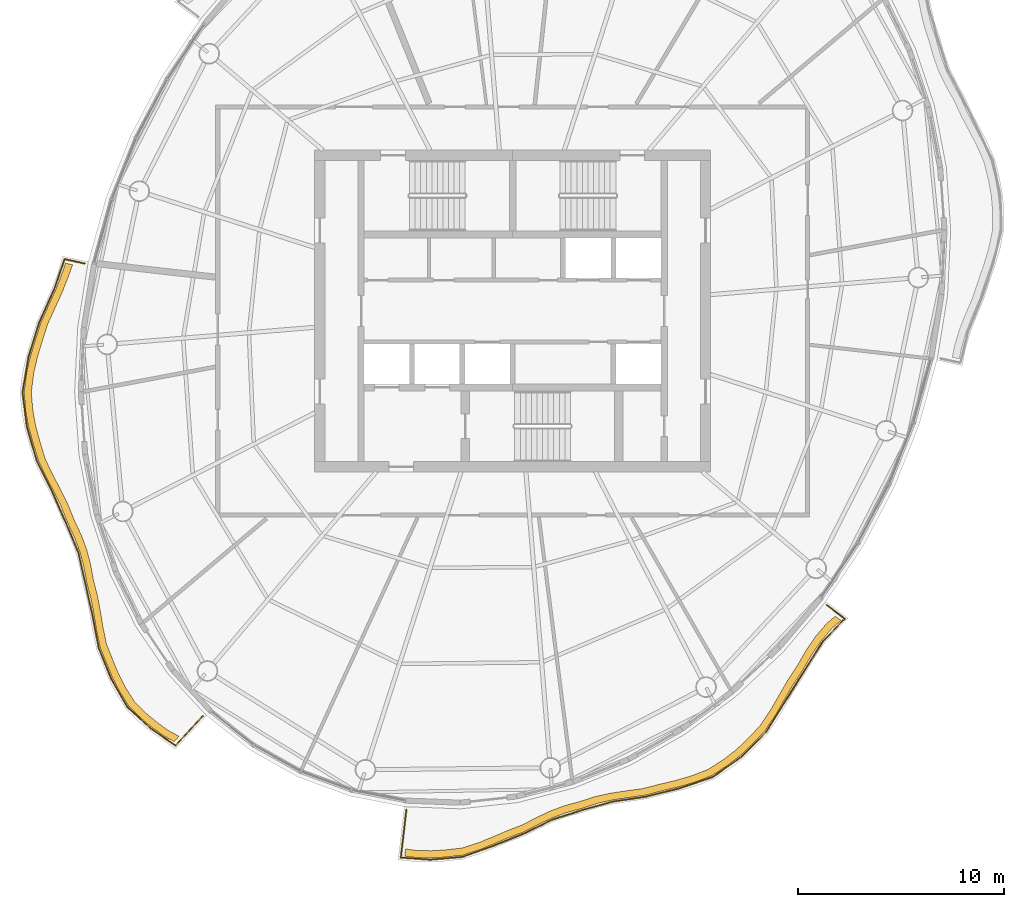
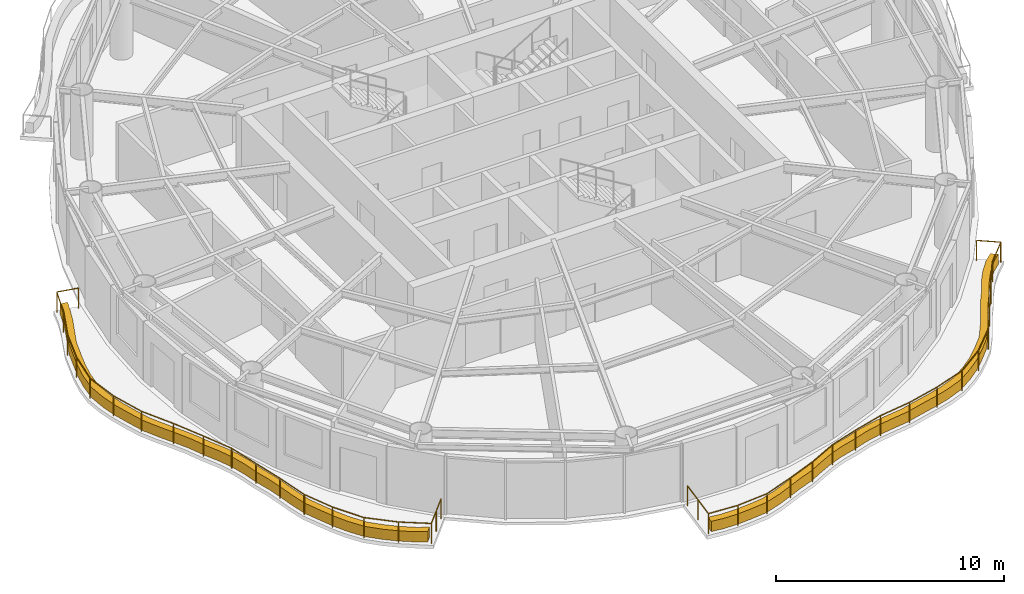
# One storey, part 11 of 13: 2 coverings, 2 railings.
"""IFC4 building model written with IfcOpenShell, lengths in metres."""

from ifc_helpers import new_model, si_unit, direction, frame, origin, origin_2d, place, context, subcontext, project, spatial, polyline, circle, outline, extrude, material, type_object, element, save


model = new_model("IFC4")

# Units and contexts
model_context = context("Model", 3, precision=1e-05, world=origin(), true_north=direction((0.0, 1.0)))
body_context = subcontext(model_context, "Body", "Model", "MODEL_VIEW")
ifc_project = project(units=[si_unit("LENGTHUNIT", "METRE"), si_unit("AREAUNIT", "SQUARE_METRE"), si_unit("VOLUMEUNIT", "CUBIC_METRE"), si_unit("PLANEANGLEUNIT", "RADIAN"), si_unit("MASSUNIT", "GRAM", prefix="KILO")], contexts=[model_context])

# Site, building, storey
site_placement = place(None, origin())
site = spatial("IfcSite", under=ifc_project, at=site_placement, CompositionType="ELEMENT")
building_placement = place(site_placement, origin())
building = spatial("IfcBuilding", under=site, at=building_placement, Name="Vermilion Reach Broadcast Tower", CompositionType="ELEMENT")
storey_placement = place(building_placement, frame((0.0, 0.0, 293.699951171875)))
storey = spatial("IfcBuildingStorey", under=building, at=storey_placement, Name="L73", CompositionType="ELEMENT", Elevation=293.699951171875)

# Coverings
ifc_material_1 = material(Name="Planting soil and greenery")
covering_type = type_object("IfcCoveringType", Name="Balcony PLANTER", PredefinedType="USERDEFINED", material=ifc_material_1)
placement = place(storey_placement, origin())
element("IfcCovering", 1, at=placement, inside=storey, type_object=covering_type, Name="PLANTER L73 group 2", ObjectType="PLANTER", PredefinedType="USERDEFINED", context=body_context, shape_type="SweptSolid", body=[
    extrude(outline(polyline([(-27.677978515625, 2.31884765625), (-27.8662109375, 1.783447265625), (-28.161865234375, 1.021240234375), (-28.505859375, 0.266845703125), (-28.888671875, -0.58447265625), (-29.162109375, -1.46142578125), (-29.3974609375, -2.238037109375), (-29.576416015625, -3.017578125), (-29.689208984375, -3.943359375), (-29.614013671875, -4.854736328125), (-29.472412109375, -5.617919921875), (-29.26416015625, -6.37646484375), (-28.998779296875, -7.2529296875), (-28.610595703125, -8.068603515625), (-28.24462890625, -8.764892578125), (-27.901611328125, -9.4658203125), (-27.58837890625, -10.2490234375), (-27.2431640625, -10.987548828125), (-26.98681640625, -11.676025390625), (-26.798095703125, -12.386962890625), (-26.6474609375, -13.196533203125), (-26.44189453125, -13.983154296875), (-26.3056640625, -14.712890625), (-26.185302734375, -15.450439453125), (-26.0, -16.314453125), (-25.68017578125, -17.113037109375), (-25.40771484375, -17.771728515625), (-25.091552734375, -18.400634765625), (-24.621826171875, -19.146484375), (-24.009521484375, -19.760009765625), (-23.478515625, -20.19970703125), (-22.910400390625, -20.60498046875), (-22.41259765625, -20.878173828125), (-22.1748046875, -20.621337890625), (-22.6533203125, -20.3671875), (-23.2216796875, -19.962158203125), (-23.752685546875, -19.5224609375), (-24.347900390625, -18.928466796875), (-24.80224609375, -18.203857421875), (-25.118408203125, -17.57470703125), (-25.390625, -16.916015625), (-25.697509765625, -16.138671875), (-25.87109375, -15.29638671875), (-25.9912109375, -14.558837890625), (-26.12744140625, -13.8291015625), (-26.323486328125, -13.064208984375), (-26.466064453125, -12.27685546875), (-26.65478515625, -11.56591796875), (-26.910888671875, -10.87744140625), (-27.249755859375, -10.160400390625), (-27.557861328125, -9.39892578125), (-27.901123046875, -8.6982421875), (-28.266845703125, -8.001953125), (-28.65185546875, -7.207275390625), (-28.9150390625, -6.352294921875), (-29.123291015625, -5.593505859375), (-29.264892578125, -4.830322265625), (-29.33935546875, -3.939453125), (-29.226806640625, -3.0341796875), (-29.0478515625, -2.254638671875), (-28.8125, -1.47802734375), (-28.54052734375, -0.620849609375), (-28.160400390625, 0.2109375), (-27.81640625, 0.965576171875), (-27.520751953125, 1.727783203125), (-27.3359375, 2.244384765625), (-27.677978515625, 2.31884765625)])), origin(), (0.0, 0.0, 1.0), 0.550048828125),
])
element("IfcCovering", 2, at=placement, inside=storey, type_object=covering_type, Name="PLANTER L73 group 3", ObjectType="PLANTER", PredefinedType="USERDEFINED", context=body_context, shape_type="SweptSolid", body=[
    extrude(outline(polyline([(-11.234619140625, -26.43212890625), (-10.66845703125, -26.50634765625), (-9.9853515625, -26.524169921875), (-9.2998046875, -26.4814453125), (-8.444580078125, -26.391357421875), (-7.603515625, -26.125244140625), (-6.931884765625, -25.8486328125), (-6.26171875, -25.560791015625), (-5.4873046875, -25.270263671875), (-4.739501953125, -24.89013671875), (-4.080810546875, -24.58056640625), (-3.4072265625, -24.328369140625), (-2.647705078125, -24.122802734375), (-1.87939453125, -23.873046875), (-1.15283203125, -23.710693359375), (-0.40625, -23.5966796875), (0.449951171875, -23.474609375), (1.308837890625, -23.250244140625), (2.0712890625, -23.067626953125), (2.81689453125, -22.855224609375), (3.662841796875, -22.52392578125), (4.435791015625, -22.026611328125), (5.045166015625, -21.5537109375), (5.609375, -21.01953125), (6.236572265625, -20.356689453125), (6.75732421875, -19.57568359375), (7.16796875, -18.86376953125), (7.580322265625, -18.153564453125), (8.066162109375, -17.415283203125), (8.512939453125, -16.650390625), (8.96923828125, -15.98876953125), (9.4892578125, -15.38134765625), (9.91943359375, -15.008056640625), (9.640380859375, -14.796875), (9.22216796875, -15.155029296875), (8.7021484375, -15.7626953125), (8.245849609375, -16.424072265625), (7.812255859375, -17.174560546875), (7.34033203125, -17.89892578125), (6.927978515625, -18.609130859375), (6.517333984375, -19.32080078125), (6.011962890625, -20.08837890625), (5.400634765625, -20.738525390625), (4.836669921875, -21.272705078125), (4.227294921875, -21.74560546875), (3.4716796875, -22.230712890625), (2.64404296875, -22.55078125), (1.898681640625, -22.763427734375), (1.135986328125, -22.94580078125), (0.297119140625, -23.159912109375), (-0.53857421875, -23.2724609375), (-1.28515625, -23.38671875), (-2.011962890625, -23.549072265625), (-2.7578125, -23.79052734375), (-3.49462890625, -23.989501953125), (-4.168212890625, -24.24169921875), (-4.826904296875, -24.55126953125), (-5.550537109375, -24.926025390625), (-6.30029296875, -25.212890625), (-6.970458984375, -25.500732421875), (-7.641845703125, -25.77734375), (-8.457275390625, -26.04150390625), (-9.2861328125, -26.1318359375), (-9.9716796875, -26.174560546875), (-10.65478515625, -26.15673828125), (-11.194091796875, -26.08447265625), (-11.234619140625, -26.43212890625)])), origin(), (0.0, 0.0, 1.0), 0.550048828125),
])

# Railings
ifc_material_2 = material(Name="Stainless steel 316 balustrade", Category="steel")
railing_type = type_object("IfcRailingType", Name="Balcony guard 1100", PredefinedType="BALUSTRADE", material=ifc_material_2)
railing_1_placement = place(storey_placement, frame((-26.746337890625, 2.299560546875, 0.0)))
element("IfcRailing", 3, at=railing_1_placement, inside=storey, type_object=railing_type, Name="Balcony guard L73 group 2", PredefinedType="BALUSTRADE", context=body_context, shape_type="SweptSolid", body=[
    extrude(circle(Radius=0.02490234375, at=origin_2d()), frame((0.0, 0.0, 1.0751953125), z_axis=(-0.977009317228, 0.21319660891, 0.0), x_axis=(-0.21319660891, -0.977009317228, 0.0)), (0.0, 0.0, 1.0), 1.00439453125),
    extrude(circle(Radius=0.02490234375, at=origin_2d()), frame((-0.981201171875, 0.214111328125, 1.0751953125), z_axis=(-0.327801095184, -0.944746760776, 0.0), x_axis=(0.944746760776, -0.327801095184, 0.0)), (0.0, 0.0, 1.0), 1.566162109375),
    extrude(circle(Radius=0.02490234375, at=origin_2d()), frame((-1.49462890625, -1.265625, 1.0751953125), z_axis=(-0.411657068432, -0.911338827226, 0.0), x_axis=(0.911338827226, -0.411657068432, 0.0)), (0.0, 0.0, 1.0), 1.766845703125),
    extrude(circle(Radius=0.02490234375, at=origin_2d()), frame((-2.221923828125, -2.875732421875, 1.0751953125), z_axis=(-0.29346268455, -0.955970529241, 0.0), x_axis=(0.955970529241, -0.29346268455, 0.0)), (0.0, 0.0, 1.0), 1.734619140625),
    extrude(circle(Radius=0.02490234375, at=origin_2d()), frame((-2.73095703125, -4.533935546875, 1.0751953125), z_axis=(-0.168323146183, -0.985731869455, 0.0), x_axis=(0.985731869455, -0.168323146183, 0.0)), (0.0, 0.0, 1.0), 1.734619140625),
    extrude(circle(Radius=0.02490234375, at=origin_2d()), frame((-3.02294921875, -6.243896484375, 1.0751953125), z_axis=(0.1281863676, -0.991750097132, 0.0), x_axis=(0.991750097132, 0.1281863676, 0.0)), (0.0, 0.0, 1.0), 1.693115234375),
    extrude(circle(Radius=0.02490234375, at=origin_2d()), frame((-2.805908203125, -7.923095703125, 1.0751953125), z_axis=(0.27774204987, -0.960655689482, 0.0), x_axis=(0.960655689482, 0.27774204987, 0.0)), (0.0, 0.0, 1.0), 1.70703125),
    extrude(circle(Radius=0.02490234375, at=origin_2d()), frame((-2.331787109375, -9.56298828125, 1.0751953125), z_axis=(0.445541314174, -0.895261379355, 0.0), x_axis=(0.895261379355, 0.445541314174, 0.0)), (0.0, 0.0, 1.0), 1.6943359375),
    extrude(circle(Radius=0.02490234375, at=origin_2d()), frame((-1.576904296875, -11.079833984375, 1.0751953125), z_axis=(0.403924528313, -0.914792312729, 0.0), x_axis=(0.914792312729, 0.403924528313, 0.0)), (0.0, 0.0, 1.0), 1.627685546875),
    extrude(circle(Radius=0.02490234375, at=origin_2d()), frame((-0.91943359375, -12.56884765625, 1.0751953125), z_axis=(0.388127248207, -0.921605793818, 0.0), x_axis=(0.921605793818, 0.388127248207, 0.0)), (0.0, 0.0, 1.0), 1.5537109375),
    extrude(circle(Radius=0.02490234375, at=origin_2d()), frame((-0.31640625, -14.000732421875, 1.0751953125), z_axis=(0.218319191435, -0.975877415791, 0.0), x_axis=(0.975877415791, 0.218319191435, 0.0)), (0.0, 0.0, 1.0), 1.563232421875),
    extrude(circle(Radius=0.02490234375, at=origin_2d()), frame((0.02490234375, -15.5263671875, 1.0751953125), z_axis=(0.220558743874, -0.975373692746, 0.0), x_axis=(0.975373692746, 0.220558743874, 0.0)), (0.0, 0.0, 1.0), 1.5595703125),
    extrude(circle(Radius=0.02490234375, at=origin_2d()), frame((0.368896484375, -17.047607421875, 1.0751953125), z_axis=(0.188332608117, -0.982105304293, 0.0), x_axis=(0.982105304293, 0.188332608117, 0.0)), (0.0, 0.0, 1.0), 1.635986328125),
    extrude(circle(Radius=0.02490234375, at=origin_2d()), frame((0.677001953125, -18.654296875, 1.0751953125), z_axis=(0.377223193722, -0.926122379666, 0.0), x_axis=(0.926122379666, 0.377223193722, 0.0)), (0.0, 0.0, 1.0), 1.57861328125),
    extrude(circle(Radius=0.02490234375, at=origin_2d()), frame((1.2724609375, -20.1162109375, 1.0751953125), z_axis=(0.49658549128, -0.867987816648, 0.0), x_axis=(0.867987816648, 0.49658549128, 0.0)), (0.0, 0.0, 1.0), 1.58935546875),
    extrude(circle(Radius=0.02490234375, at=origin_2d()), frame((2.061767578125, -21.495849609375, 1.0751953125), z_axis=(0.735157230882, -0.677896633627, 0.0), x_axis=(0.677896633627, 0.735157230882, 0.0)), (0.0, 0.0, 1.0), 1.560546875),
    extrude(circle(Radius=0.02490234375, at=origin_2d()), frame((3.208984375, -22.5537109375, 1.0751953125), z_axis=(0.825651202441, -0.564180903531, 0.0), x_axis=(0.564180903531, 0.825651202441, 0.0)), (0.0, 0.0, 1.0), 1.444580078125),
    extrude(circle(Radius=0.02490234375, at=origin_2d()), frame((4.401611328125, -23.36865234375, 1.0751953125), z_axis=(0.679350340459, 0.733814087435, 0.0), x_axis=(-0.733814087435, 0.679350340459, 0.0)), (0.0, 0.0, 1.0), 1.94091796875),
    extrude(circle(Radius=0.02490234375, at=origin_2d()), origin(), (0.0, 0.0, 1.0), 1.050048828125),
    extrude(circle(Radius=0.02490234375, at=origin_2d()), frame((-0.981201171875, 0.214111328125, 0.0)), (0.0, 0.0, 1.0), 1.050048828125),
    extrude(circle(Radius=0.02490234375, at=origin_2d()), frame((-1.49462890625, -1.265625, 0.0)), (0.0, 0.0, 1.0), 1.050048828125),
    extrude(circle(Radius=0.02490234375, at=origin_2d()), frame((-2.221923828125, -2.875732421875, 0.0)), (0.0, 0.0, 1.0), 1.050048828125),
    extrude(circle(Radius=0.02490234375, at=origin_2d()), frame((-2.73095703125, -4.533935546875, 0.0)), (0.0, 0.0, 1.0), 1.050048828125),
    extrude(circle(Radius=0.02490234375, at=origin_2d()), frame((-3.02294921875, -6.243896484375, 0.0)), (0.0, 0.0, 1.0), 1.050048828125),
    extrude(circle(Radius=0.02490234375, at=origin_2d()), frame((-2.805908203125, -7.923095703125, 0.0)), (0.0, 0.0, 1.0), 1.050048828125),
    extrude(circle(Radius=0.02490234375, at=origin_2d()), frame((-2.331787109375, -9.56298828125, 0.0)), (0.0, 0.0, 1.0), 1.050048828125),
    extrude(circle(Radius=0.02490234375, at=origin_2d()), frame((-1.576904296875, -11.079833984375, 0.0)), (0.0, 0.0, 1.0), 1.050048828125),
    extrude(circle(Radius=0.02490234375, at=origin_2d()), frame((-0.91943359375, -12.56884765625, 0.0)), (0.0, 0.0, 1.0), 1.050048828125),
    extrude(circle(Radius=0.02490234375, at=origin_2d()), frame((-0.31640625, -14.000732421875, 0.0)), (0.0, 0.0, 1.0), 1.050048828125),
    extrude(circle(Radius=0.02490234375, at=origin_2d()), frame((0.02490234375, -15.5263671875, 0.0)), (0.0, 0.0, 1.0), 1.050048828125),
    extrude(circle(Radius=0.02490234375, at=origin_2d()), frame((0.368896484375, -17.047607421875, 0.0)), (0.0, 0.0, 1.0), 1.050048828125),
    extrude(circle(Radius=0.02490234375, at=origin_2d()), frame((0.677001953125, -18.654296875, 0.0)), (0.0, 0.0, 1.0), 1.050048828125),
    extrude(circle(Radius=0.02490234375, at=origin_2d()), frame((1.2724609375, -20.1162109375, 0.0)), (0.0, 0.0, 1.0), 1.050048828125),
    extrude(circle(Radius=0.02490234375, at=origin_2d()), frame((2.061767578125, -21.495849609375, 0.0)), (0.0, 0.0, 1.0), 1.050048828125),
    extrude(circle(Radius=0.02490234375, at=origin_2d()), frame((3.208984375, -22.5537109375, 0.0)), (0.0, 0.0, 1.0), 1.050048828125),
    extrude(circle(Radius=0.02490234375, at=origin_2d()), frame((4.401611328125, -23.36865234375, 0.0)), (0.0, 0.0, 1.0), 1.050048828125),
    extrude(circle(Radius=0.02490234375, at=origin_2d()), frame((5.06103515625, -22.656494140625, 0.0)), (0.0, 0.0, 1.0), 1.050048828125),
    extrude(circle(Radius=0.02490234375, at=origin_2d()), frame((5.72021484375, -21.9443359375, 0.0)), (0.0, 0.0, 1.0), 1.050048828125),
])
railing_2_placement = place(storey_placement, frame((-11.154052734375, -24.189453125, 0.0)))
element("IfcRailing", 4, at=railing_2_placement, inside=storey, type_object=railing_type, Name="Balcony guard L73 group 3", PredefinedType="BALUSTRADE", context=body_context, shape_type="SweptSolid", body=[
    extrude(circle(Radius=0.02490234375, at=origin_2d()), frame((0.0, 0.0, 1.0751953125), z_axis=(-0.115741193959, -0.993279404811, 0.0), x_axis=(0.993279404811, -0.115741193959, 0.0)), (0.0, 0.0, 1.0), 2.330810546875),
    extrude(circle(Radius=0.02490234375, at=origin_2d()), frame((-0.269775390625, -2.315185546875, 1.0751953125), z_axis=(0.997601327848, -0.069221316626, 0.0), x_axis=(0.069221316626, 0.997601327848, 0.0)), (0.0, 0.0, 1.0), 1.43896484375),
    extrude(circle(Radius=0.02490234375, at=origin_2d()), frame((1.165771484375, -2.414794921875, 1.0751953125), z_axis=(0.99633210294, 0.08557067635, 0.0), x_axis=(-0.08557067635, 0.99633210294, 0.0)), (0.0, 0.0, 1.0), 1.552001953125),
    extrude(circle(Radius=0.02490234375, at=origin_2d()), frame((2.712158203125, -2.281982421875, 1.0751953125), z_axis=(0.941587716945, 0.336767829963, 0.0), x_axis=(-0.336767829963, 0.941587716945, 0.0)), (0.0, 0.0, 1.0), 1.613037109375),
    extrude(circle(Radius=0.02490234375, at=origin_2d()), frame((4.23095703125, -1.73876953125, 1.0751953125), z_axis=(0.928692183309, 0.370851491382, 0.0), x_axis=(-0.370851491382, 0.928692183309, 0.0)), (0.0, 0.0, 1.0), 1.5615234375),
    extrude(circle(Radius=0.02490234375, at=origin_2d()), frame((5.68115234375, -1.15966796875, 1.0751953125), z_axis=(0.898245420259, 0.439494214961, 0.0), x_axis=(-0.439494214961, 0.898245420259, 0.0)), (0.0, 0.0, 1.0), 1.572021484375),
    extrude(circle(Radius=0.02490234375, at=origin_2d()), frame((7.09326171875, -0.46875, 1.0751953125), z_axis=(0.952570481886, 0.304318052438, 0.0), x_axis=(-0.304318052438, 0.952570481886, 0.0)), (0.0, 0.0, 1.0), 1.509765625),
    extrude(circle(Radius=0.02490234375, at=origin_2d()), frame((8.531494140625, -0.00927734375, 1.0751953125), z_axis=(0.963988457226, 0.265944081217, 0.0), x_axis=(-0.265944081217, 0.963988457226, 0.0)), (0.0, 0.0, 1.0), 1.55615234375),
    extrude(circle(Radius=0.02490234375, at=origin_2d()), frame((10.031494140625, 0.404541015625, 1.0751953125), z_axis=(0.989190551858, 0.14663578047, 0.0), x_axis=(-0.14663578047, 0.989190551858, 0.0)), (0.0, 0.0, 1.0), 1.625),
    extrude(circle(Radius=0.02490234375, at=origin_2d()), frame((11.638916015625, 0.642822265625, 1.0751953125), z_axis=(0.96972998608, 0.244179757756, 0.0), x_axis=(-0.244179757756, 0.96972998608, 0.0)), (0.0, 0.0, 1.0), 1.6767578125),
    extrude(circle(Radius=0.02490234375, at=origin_2d()), frame((13.264892578125, 1.05224609375, 1.0751953125), z_axis=(0.946119643132, 0.32381726464, 0.0), x_axis=(-0.32381726464, 0.946119643132, 0.0)), (0.0, 0.0, 1.0), 1.6865234375),
    extrude(circle(Radius=0.02490234375, at=origin_2d()), frame((14.860595703125, 1.598388671875, 1.0751953125), z_axis=(0.818506754089, 0.574496904701, 0.0), x_axis=(-0.574496904701, 0.818506754089, 0.0)), (0.0, 0.0, 1.0), 1.69384765625),
    extrude(circle(Radius=0.02490234375, at=origin_2d()), frame((16.2470703125, 2.571533203125, 1.0751953125), z_axis=(0.705735793787, 0.70847511556, 0.0), x_axis=(-0.70847511556, 0.705735793787, 0.0)), (0.0, 0.0, 1.0), 1.693359375),
    extrude(circle(Radius=0.02490234375, at=origin_2d()), frame((17.442138671875, 3.771240234375, 1.0751953125), z_axis=(0.529899419177, 0.848060496401, 0.0), x_axis=(-0.848060496401, 0.529899419177, 0.0)), (0.0, 0.0, 1.0), 1.76416015625),
    extrude(circle(Radius=0.02490234375, at=origin_2d()), frame((18.376953125, 5.267333984375, 1.0751953125), z_axis=(0.527505119052, 0.849551852081, 0.0), x_axis=(-0.849551852081, 0.527505119052, 0.0)), (0.0, 0.0, 1.0), 1.708740234375),
    extrude(circle(Radius=0.02490234375, at=origin_2d()), frame((19.2783203125, 6.718994140625, 1.0751953125), z_axis=(0.535213336391, 0.844716925691, 0.0), x_axis=(-0.844716925691, 0.535213336391, 0.0)), (0.0, 0.0, 1.0), 1.69287109375),
    extrude(circle(Radius=0.02490234375, at=origin_2d()), frame((20.184326171875, 8.14892578125, 1.0751953125), z_axis=(0.689965924686, 0.723841849282, 0.0), x_axis=(-0.723841849282, 0.689965924686, 0.0)), (0.0, 0.0, 1.0), 1.549560546875),
    extrude(circle(Radius=0.02490234375, at=origin_2d()), frame((21.25341796875, 9.2705078125, 1.0751953125), z_axis=(-0.797391705063, 0.603462068979, 0.0), x_axis=(-0.603462068979, -0.797391705063, 0.0)), (0.0, 0.0, 1.0), 1.081298828125),
    extrude(circle(Radius=0.02490234375, at=origin_2d()), origin(), (0.0, 0.0, 1.0), 1.050048828125),
    extrude(circle(Radius=0.02490234375, at=origin_2d()), frame((-0.134765625, -1.15771484375, 0.0)), (0.0, 0.0, 1.0), 1.050048828125),
    extrude(circle(Radius=0.02490234375, at=origin_2d()), frame((-0.269775390625, -2.315185546875, 0.0)), (0.0, 0.0, 1.0), 1.050048828125),
    extrude(circle(Radius=0.02490234375, at=origin_2d()), frame((1.165771484375, -2.414794921875, 0.0)), (0.0, 0.0, 1.0), 1.050048828125),
    extrude(circle(Radius=0.02490234375, at=origin_2d()), frame((2.712158203125, -2.281982421875, 0.0)), (0.0, 0.0, 1.0), 1.050048828125),
    extrude(circle(Radius=0.02490234375, at=origin_2d()), frame((4.23095703125, -1.73876953125, 0.0)), (0.0, 0.0, 1.0), 1.050048828125),
    extrude(circle(Radius=0.02490234375, at=origin_2d()), frame((5.68115234375, -1.15966796875, 0.0)), (0.0, 0.0, 1.0), 1.050048828125),
    extrude(circle(Radius=0.02490234375, at=origin_2d()), frame((7.09326171875, -0.46875, 0.0)), (0.0, 0.0, 1.0), 1.050048828125),
    extrude(circle(Radius=0.02490234375, at=origin_2d()), frame((8.531494140625, -0.00927734375, 0.0)), (0.0, 0.0, 1.0), 1.050048828125),
    extrude(circle(Radius=0.02490234375, at=origin_2d()), frame((10.031494140625, 0.404541015625, 0.0)), (0.0, 0.0, 1.0), 1.050048828125),
    extrude(circle(Radius=0.02490234375, at=origin_2d()), frame((11.638916015625, 0.642822265625, 0.0)), (0.0, 0.0, 1.0), 1.050048828125),
    extrude(circle(Radius=0.02490234375, at=origin_2d()), frame((13.264892578125, 1.05224609375, 0.0)), (0.0, 0.0, 1.0), 1.050048828125),
    extrude(circle(Radius=0.02490234375, at=origin_2d()), frame((14.860595703125, 1.598388671875, 0.0)), (0.0, 0.0, 1.0), 1.050048828125),
    extrude(circle(Radius=0.02490234375, at=origin_2d()), frame((16.2470703125, 2.571533203125, 0.0)), (0.0, 0.0, 1.0), 1.050048828125),
    extrude(circle(Radius=0.02490234375, at=origin_2d()), frame((17.442138671875, 3.771240234375, 0.0)), (0.0, 0.0, 1.0), 1.050048828125),
    extrude(circle(Radius=0.02490234375, at=origin_2d()), frame((18.376953125, 5.267333984375, 0.0)), (0.0, 0.0, 1.0), 1.050048828125),
    extrude(circle(Radius=0.02490234375, at=origin_2d()), frame((19.2783203125, 6.718994140625, 0.0)), (0.0, 0.0, 1.0), 1.050048828125),
    extrude(circle(Radius=0.02490234375, at=origin_2d()), frame((20.184326171875, 8.14892578125, 0.0)), (0.0, 0.0, 1.0), 1.050048828125),
    extrude(circle(Radius=0.02490234375, at=origin_2d()), frame((21.25341796875, 9.2705078125, 0.0)), (0.0, 0.0, 1.0), 1.050048828125),
    extrude(circle(Radius=0.02490234375, at=origin_2d()), frame((20.39111328125, 9.923095703125, 0.0)), (0.0, 0.0, 1.0), 1.050048828125),
])

save(model, "model.ifc")
